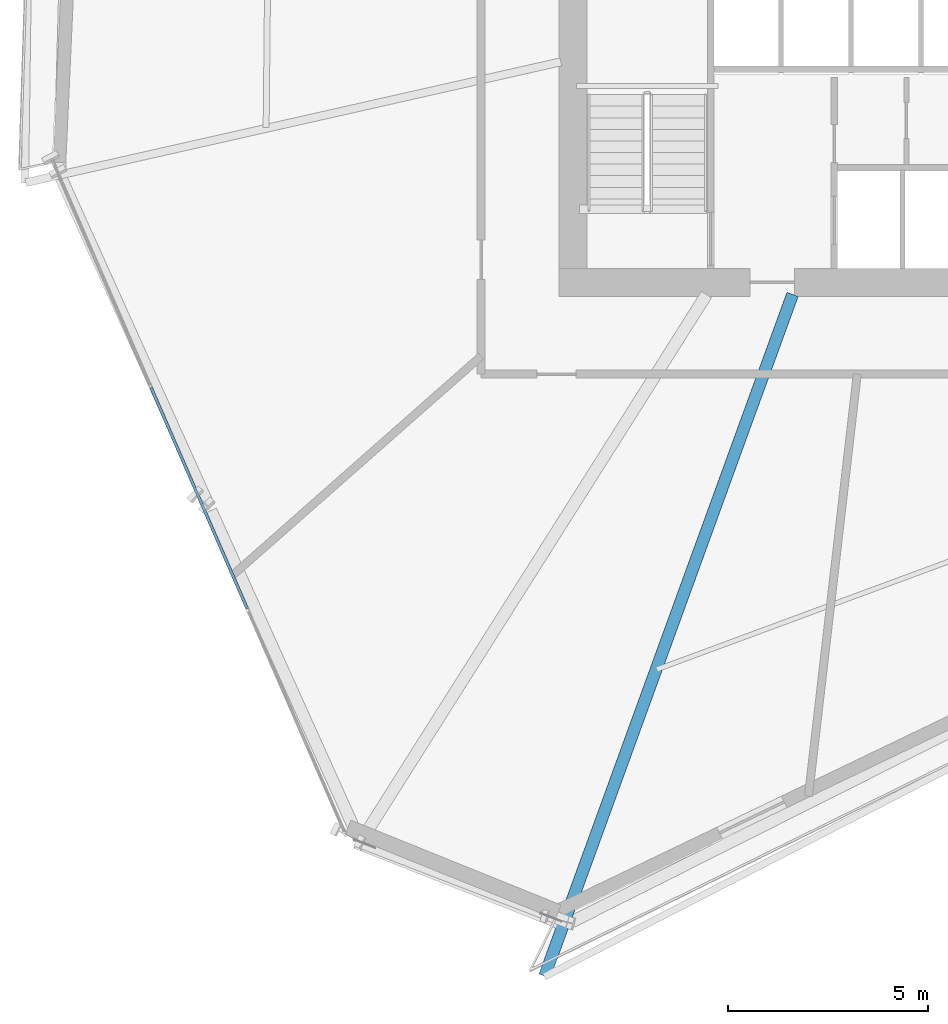
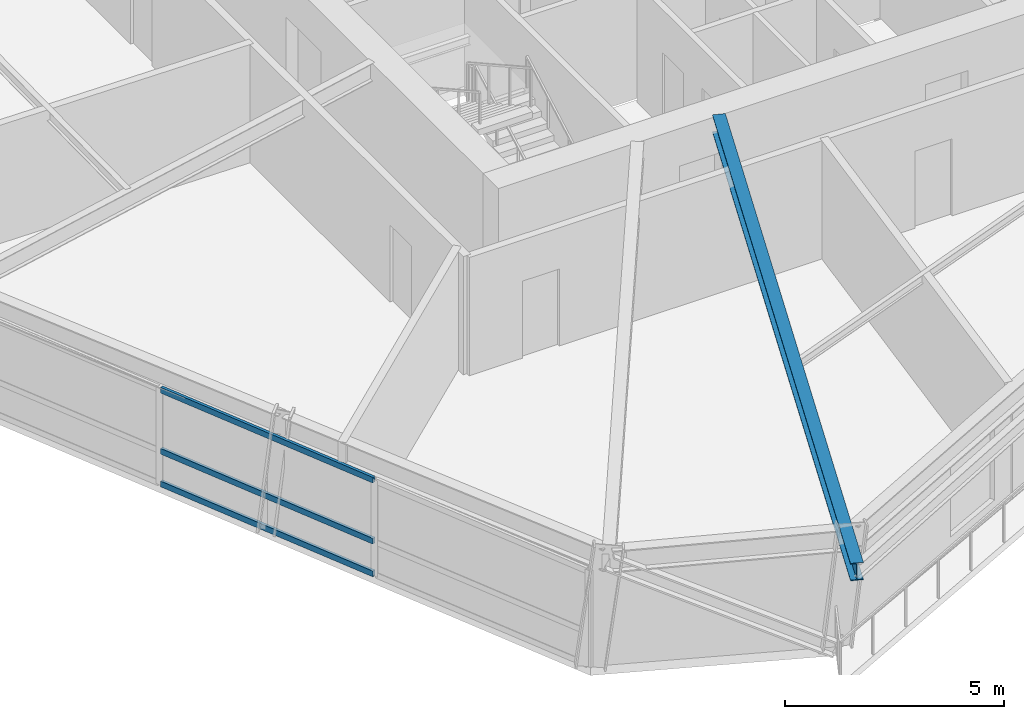
# One storey, part 3 of 19: 3 members, 1 beam, 1 element without a shape of its own.
"""IFC4 building model written with IfcOpenShell, lengths in metres."""

from ifc_helpers import new_model, si_unit, direction, frame, origin, origin_2d, place, context, subcontext, project, spatial, hollow_rectangle, i_section, extrude, source, transform, mapped, material, material_profile, profile_set, type_object, element, aggregate, save


model = new_model("IFC4")

# Units and contexts
model_context = context("Model", 3, precision=1e-05, world=origin(), true_north=direction((0.0, 1.0)))
body_context = subcontext(model_context, "Body", "Model", "MODEL_VIEW")
ifc_project = project(units=[si_unit("LENGTHUNIT", "METRE"), si_unit("AREAUNIT", "SQUARE_METRE"), si_unit("VOLUMEUNIT", "CUBIC_METRE"), si_unit("PLANEANGLEUNIT", "RADIAN"), si_unit("MASSUNIT", "GRAM", prefix="KILO")], contexts=[model_context])

# Site, building, storey
site_placement = place(None, origin())
site = spatial("IfcSite", under=ifc_project, at=site_placement, CompositionType="ELEMENT")
building_placement = place(site_placement, origin())
building = spatial("IfcBuilding", under=site, at=building_placement, Name="Olszyna Solenne Hotel", CompositionType="ELEMENT")
storey_placement = place(building_placement, frame((0.0, 0.0, 84.39990234375)))
storey = spatial("IfcBuildingStorey", under=building, at=storey_placement, Name="L21", CompositionType="ELEMENT", Elevation=84.39990234375)

# Beam
ifc_material_1 = material(Name="Steel S355J2", Category="steel")
ifc_material_profile_1 = material_profile(ifc_material_1, i_section(OverallWidth=0.300048828125, OverallDepth=0.489990234375, WebThickness=0.011962890625, FlangeThickness=0.02294921875, at=origin_2d()), Name="HEA 500", Category="load-bearing")
ifc_profile_set_1 = profile_set([ifc_material_profile_1], Name="Steel S355J2")
beam_type = type_object("IfcBeamType", Name="BM-G1", PredefinedType="BEAM", material=ifc_profile_set_1)
shared_shape_1 = source(origin(), body_context, "Body", "SweptSolid", [
    extrude(i_section(OverallWidth=0.300048828125, OverallDepth=0.489990234375, WebThickness=0.011962890625, FlangeThickness=0.02294921875, at=origin_2d()), origin(), (0.0, 0.0, 1.0), 18.16259765625),
])
beam_placement = place(storey_placement, frame((29.042236328125, 1.77880859375, 3.05517578125), z_axis=(0.341867176678, 0.939748281994, 0.0), x_axis=(-0.939748281994, 0.341867176678, 0.0)))
element("IfcBeam", 1, at=beam_placement, inside=storey, type_object=beam_type, Name="Radial floor girder BM-G1 B-L21-0652", PredefinedType="BEAM", context=body_context, shape_type="MappedRepresentation", body=[
    mapped(shared_shape_1, transform((0.0, 0.0, 0.0), x_axis=(1.0, 0.0, 0.0), y_axis=(0.0, 1.0, 0.0), z_axis=(0.0, 0.0, 1.0), scale=1.0)),
])

# Curtain wall, members
ifc_material_2 = material(Name="Anodised bronze aluminium", Category="aluminium")
curtain_wall_type = type_object("IfcCurtainWallType", Name="CW-SYS-3", PredefinedType="NOTDEFINED", material=ifc_material_2)
curtain_wall_placement = place(storey_placement, origin())
curtain_wall = element("IfcCurtainWall", 2, at=curtain_wall_placement, inside=storey, type_object=curtain_wall_type, Name="Unitised curtain wall CW-SYS-3 CW-L21-01", PredefinedType="NOTDEFINED")
ifc_material_profile_2 = material_profile(ifc_material_2, hollow_rectangle(XDim=0.074951171875, YDim=0.159912109375, WallThickness=0.00390625, at=origin_2d()), Name="TRAN 160x75x4", Category="load-bearing")
ifc_profile_set_2 = profile_set([ifc_material_profile_2], Name="Anodised bronze aluminium")
member_type = type_object("IfcMemberType", Name="CW-T1", PredefinedType="USERDEFINED", material=ifc_profile_set_2)
shared_shape_2 = source(origin(), body_context, "Body", "SweptSolid", [
    extrude(hollow_rectangle(XDim=0.074951171875, YDim=0.159912109375, WallThickness=0.00390625, at=origin_2d()), origin(), (0.0, 0.0, 1.0), 6.041015625),
])
member_1_placement = place(storey_placement, frame((19.188232421875, 16.51318359375, 0.03759765625), z_axis=(0.398839895532, -0.917020576504, 0.0), x_axis=(0.917020576504, 0.398839895532, 0.0)))
member_1 = element("IfcMember", 3, at=member_1_placement, type_object=member_type, Name="Curtain-wall transom CW-T1 CT-L21-01-04", ObjectType="TRANSOM", PredefinedType="USERDEFINED", context=body_context, shape_type="MappedRepresentation", body=[
    mapped(shared_shape_2, transform((0.0, 0.0, 0.0), x_axis=(1.0, 0.0, 0.0), y_axis=(0.0, 1.0, 0.0), z_axis=(0.0, 0.0, 1.0), scale=1.0)),
])
member_2_placement = place(storey_placement, frame((19.188232421875, 16.51318359375, 0.9501953125), z_axis=(0.398839895532, -0.917020576504, 0.0), x_axis=(0.917020576504, 0.398839895532, 0.0)))
member_2 = element("IfcMember", 4, at=member_2_placement, type_object=member_type, Name="Curtain-wall transom CW-T1 CT-L21-01-05", ObjectType="TRANSOM", PredefinedType="USERDEFINED", context=body_context, shape_type="MappedRepresentation", body=[
    mapped(shared_shape_2, transform((0.0, 0.0, 0.0), x_axis=(1.0, 0.0, 0.0), y_axis=(0.0, 1.0, 0.0), z_axis=(0.0, 0.0, 1.0), scale=1.0)),
])
member_3_placement = place(storey_placement, frame((19.188232421875, 16.51318359375, 2.654541015625), z_axis=(0.398839895532, -0.917020576504, 0.0), x_axis=(0.917020576504, 0.398839895532, 0.0)))
member_3 = element("IfcMember", 5, at=member_3_placement, type_object=member_type, Name="Curtain-wall transom CW-T1 CT-L21-01-06", ObjectType="TRANSOM", PredefinedType="USERDEFINED", context=body_context, shape_type="MappedRepresentation", body=[
    mapped(shared_shape_2, transform((0.0, 0.0, 0.0), x_axis=(1.0, 0.0, 0.0), y_axis=(0.0, 1.0, 0.0), z_axis=(0.0, 0.0, 1.0), scale=1.0)),
])
aggregate(curtain_wall, [member_1, member_2, member_3])

save(model, "model.ifc")
